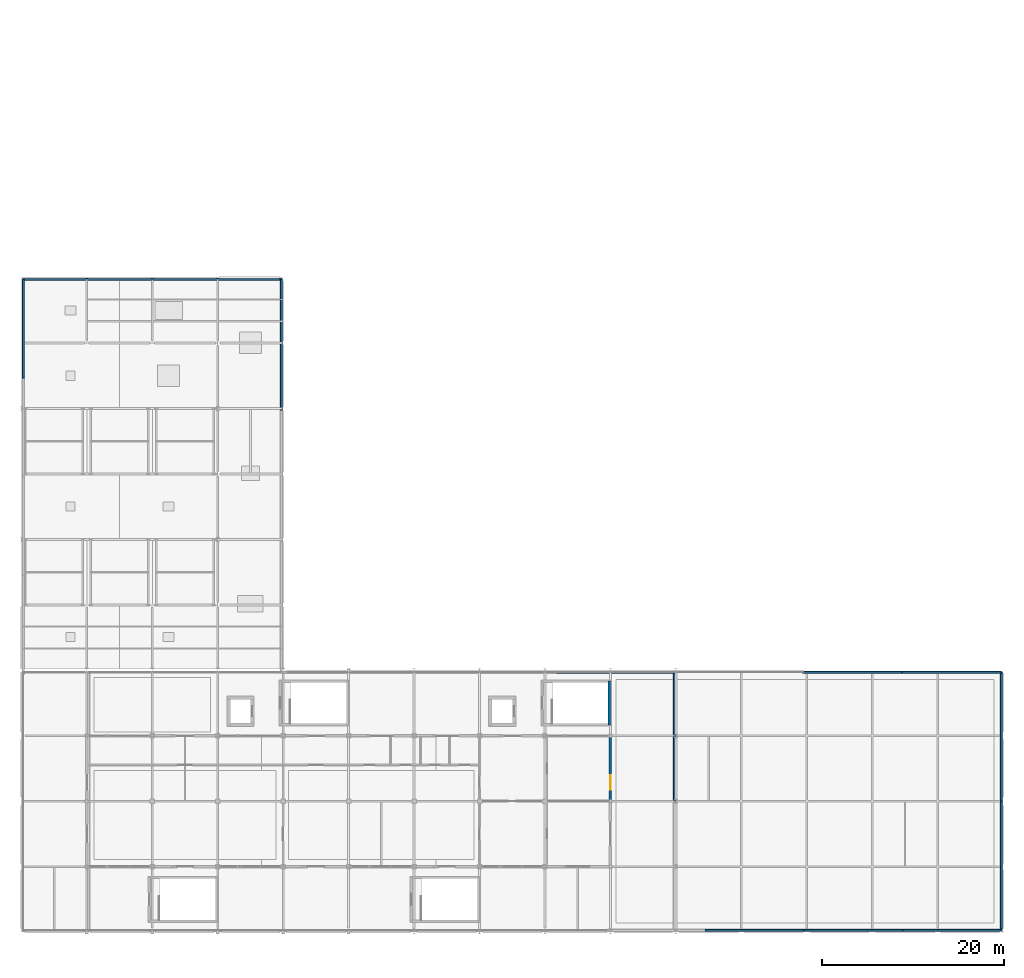
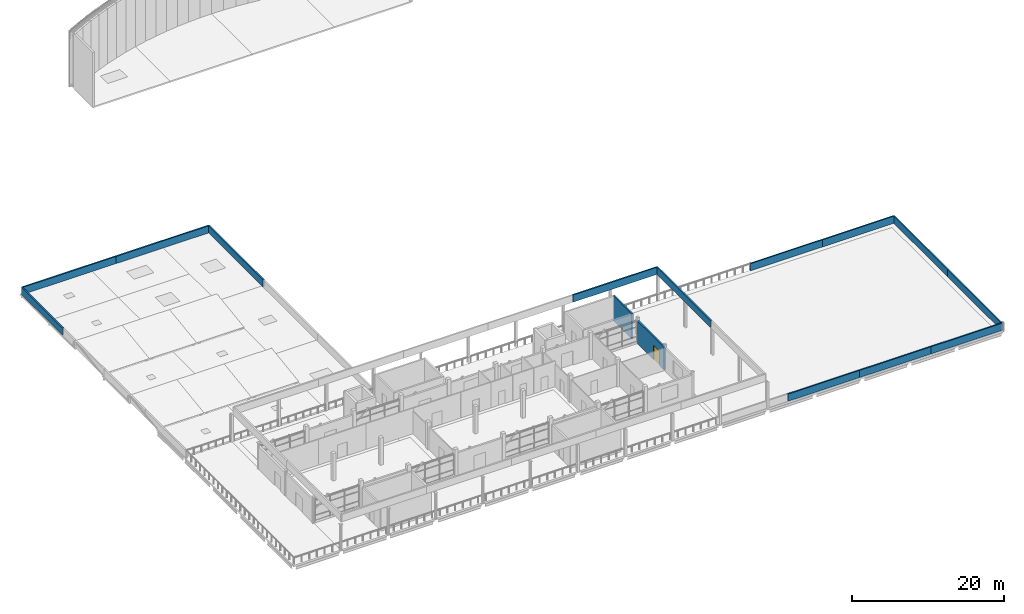
# One storey, part 26 of 32: 15 walls, 1 door, 1 opening.
"""IFC4 building model written with IfcOpenShell, lengths in metres."""

import ifcopenshell
import ifcopenshell.guid

model = None  # the IFC model being written
_history = None  # IfcOwnerHistory: only IFC2X3 demands one
_inside = {}  # id of a spatial element -> (the spatial element, [elements in it])
_under = {}  # id of a project, library or spatial element -> (it, [spatial elements below it])
_declared = {}  # id of a project -> (the project, [libraries it declares])
_typed = {}  # id of a type object -> (the type object, [elements of that type])
_made_of = {}  # id of a material, layer set ... -> (it, [elements and type objects made of it])


def new_model(schema):
    """Start an empty IFC model of exactly this schema.

    Asked for "IFC4X3", IfcOpenShell would pick the latest addendum, in which some entities
    have other attributes; the version numbers below select the first issue.
    IFC2X3 requires an IfcOwnerHistory on every rooted entity: one is made here for all.
    """
    global model, _history
    if schema == "IFC4X3":
        model = ifcopenshell.file(schema_version=(4, 3, 0, 0))
    else:
        model = ifcopenshell.file(schema=schema)
    _inside.clear()
    _under.clear()
    _declared.clear()
    _typed.clear()
    _made_of.clear()
    _history = None
    if model.schema == "IFC2X3":
        org = make("IfcOrganization", Name="unknown")
        user = make(
            "IfcPersonAndOrganization",
            ThePerson=make("IfcPerson", FamilyName="unknown"),
            TheOrganization=org,
        )
        app = make(
            "IfcApplication",
            ApplicationDeveloper=org,
            Version="unknown",
            ApplicationFullName="unknown",
            ApplicationIdentifier="unknown",
        )
        _history = make(
            "IfcOwnerHistory",
            OwningUser=user,
            OwningApplication=app,
            ChangeAction="ADDED",
            CreationDate=0,
        )
    return model


def make(cls, **values):
    """One entity of the class cls with the attributes given. An attribute that is None is left unset."""
    return model.create_entity(
        cls, **{name: value for name, value in values.items() if value is not None}
    )


def rooted(cls, **values):
    """An entity with a GlobalId (a new one), such as an element, a storey or a relation."""
    return make(cls, GlobalId=ifcopenshell.guid.new(), OwnerHistory=_history, **values)


def si_unit(unit_type, name, prefix=None):
    """IfcSIUnit, for example si_unit("LENGTHUNIT", "METRE", prefix="MILLI")."""
    return make("IfcSIUnit", UnitType=unit_type, Prefix=prefix, Name=name)


def assignment(units):
    """IfcUnitAssignment: the units of a project."""
    return None if units is None else make("IfcUnitAssignment", Units=units)


def point(xyz):
    """IfcCartesianPoint."""
    return None if xyz is None else make("IfcCartesianPoint", Coordinates=xyz)


def direction(xyz):
    """IfcDirection."""
    return None if xyz is None else make("IfcDirection", DirectionRatios=xyz)


def frame(location, z_axis=None, x_axis=None):
    """IfcAxis2Placement3D, a coordinate frame: its origin and axes. An axis left out is left unset."""
    return make(
        "IfcAxis2Placement3D",
        Location=point(location),
        Axis=direction(z_axis),
        RefDirection=direction(x_axis),
    )


def frame_2d(location, x_axis=None):
    """IfcAxis2Placement2D, a coordinate frame in the plane: its origin and x axis."""
    return make(
        "IfcAxis2Placement2D", Location=point(location), RefDirection=direction(x_axis)
    )


def origin():
    """The frame at (0, 0, 0) with its axes left unset."""
    return frame((0.0, 0.0, 0.0))


def place(relative_to, where):
    """IfcLocalPlacement: puts the frame where relative to a parent placement (None: the world)."""
    return make(
        "IfcLocalPlacement", PlacementRelTo=relative_to, RelativePlacement=where
    )


def context(
    kind, dimensions, precision=None, world=None, true_north=None, identifier=None
):
    """IfcGeometricRepresentationContext, for example the 3D "Model" context."""
    return make(
        "IfcGeometricRepresentationContext",
        ContextIdentifier=identifier,
        ContextType=kind,
        CoordinateSpaceDimension=dimensions,
        Precision=precision,
        WorldCoordinateSystem=world,
        TrueNorth=true_north,
    )


def subcontext(parent, identifier, kind, view, scale=None):
    """IfcGeometricRepresentationSubContext, for example "Body" below "Model"."""
    return make(
        "IfcGeometricRepresentationSubContext",
        ContextIdentifier=identifier,
        ContextType=kind,
        ParentContext=parent,
        TargetScale=scale,
        TargetView=view,
    )


def project(units=None, contexts=None):
    """IfcProject with its units and contexts."""
    return rooted(
        "IfcProject",
        Name="project",
        RepresentationContexts=contexts,
        UnitsInContext=assignment(units),
    )


def spatial(cls, under=None, at=None, **own):
    """A site, building, storey or space (cls), placed at a placement, below another one or the project."""
    s = rooted(cls, ObjectPlacement=at, **own)
    if under is not None:
        _under.setdefault(under.id(), (under, []))[1].append(s)
    return s


def profile(cls, at=None, kind="AREA", **sizes):
    """A parametric profile (cls). Its sizes go by their IFC names, for example OverallWidth=200.0."""
    return make(cls, ProfileType=kind, Position=at, **sizes)


def rectangle(**sizes):
    """IfcRectangleProfileDef."""
    return profile("IfcRectangleProfileDef", **sizes)


def extrude(swept, where, along, depth):
    """IfcExtrudedAreaSolid: the profile swept, set in the frame where, extruded along a direction by depth."""
    return make(
        "IfcExtrudedAreaSolid",
        SweptArea=swept,
        Position=where,
        ExtrudedDirection=direction(along),
        Depth=depth,
    )


def shape(context_of_items, identifier, shape_type, items):
    """IfcShapeRepresentation: the items that make up one representation, for example the "Body"."""
    return make(
        "IfcShapeRepresentation",
        ContextOfItems=context_of_items,
        RepresentationIdentifier=identifier,
        RepresentationType=shape_type,
        Items=items,
    )


def material(Name=None, Category=None):
    """IfcMaterial."""
    return make("IfcMaterial", Name=Name, Category=Category)


def layer(
    of_material, thickness, ventilated=None, Name=None, Category=None, Priority=None
):
    """IfcMaterialLayer: one layer of a wall or slab, of a material (None: an air gap)."""
    return make(
        "IfcMaterialLayer",
        Material=of_material,
        LayerThickness=thickness,
        IsVentilated=ventilated,
        Name=Name,
        Category=Category,
        Priority=Priority,
    )


def layer_set(layers, Name=None):
    """IfcMaterialLayerSet."""
    return make("IfcMaterialLayerSet", MaterialLayers=layers, LayerSetName=Name)


def made_of(thing, what):
    """Note that an element or type object is made of a material, layer set ...; save() writes the relation."""
    if what is not None:
        _made_of.setdefault(what.id(), (what, []))[1].append(thing)
    return thing


def type_object(cls, material=None, **own):
    """A type object (cls), such as IfcWallType, which elements share."""
    return made_of(rooted(cls, **own), material)


def element(
    cls,
    number,
    at=None,
    inside=None,
    cuts=None,
    type_object=None,
    material=None,
    context=None,
    identifier="Body",
    shape_type=None,
    held_by="IfcProductDefinitionShape",
    body=None,
    shapes=None,
    **own,
):
    """One element of the class cls, such as IfcWall. Its Tag is "e" and its number.

    at: its placement. inside: the storey or other place that contains it. cuts: it is an
    opening in that element (IfcRelVoidsElement). A single representation is given by context,
    identifier, shape_type and body (its items); several are given by shapes. held_by: the class
    of the entity that holds the representations. save() writes the other relations.
    """
    e = rooted(cls, Tag="e%d" % number, ObjectPlacement=at, **own)
    if body is not None:
        shapes = [shape(context, identifier, shape_type, body)]
    if shapes is not None:
        e.Representation = make(held_by, Representations=shapes)
    if inside is not None:
        _inside.setdefault(inside.id(), (inside, []))[1].append(e)
    if cuts is not None:
        rooted(
            "IfcRelVoidsElement", RelatingBuildingElement=cuts, RelatedOpeningElement=e
        )
    if type_object is not None:
        _typed.setdefault(type_object.id(), (type_object, []))[1].append(e)
    return made_of(e, material)


def fill(opening, filler):
    """IfcRelFillsElement: the door or window that sits in an opening."""
    return rooted(
        "IfcRelFillsElement",
        RelatingOpeningElement=opening,
        RelatedBuildingElement=filler,
    )


def aggregate(whole, parts):
    """IfcRelAggregates: a whole, such as a stair, and the parts it consists of."""
    return rooted("IfcRelAggregates", RelatingObject=whole, RelatedObjects=parts)


def save(model, path):
    """Write the relations noted so far, then the file.

    IfcRelAggregates (storeys below a building ...), IfcRelContainedInSpatialStructure (elements
    in a storey), IfcRelDefinesByType, IfcRelAssociatesMaterial and IfcRelDeclares: one each for
    every whole, place, type object, material and project.
    """
    for whole, parts in _under.values():
        aggregate(whole, parts)
    for where, things in _inside.values():
        rooted(
            "IfcRelContainedInSpatialStructure",
            RelatedElements=things,
            RelatingStructure=where,
        )
    for kind, things in _typed.values():
        rooted("IfcRelDefinesByType", RelatedObjects=things, RelatingType=kind)
    for what, things in _made_of.values():
        rooted("IfcRelAssociatesMaterial", RelatedObjects=things, RelatingMaterial=what)
    for by, libraries in _declared.values():
        rooted("IfcRelDeclares", RelatingContext=by, RelatedDefinitions=libraries)
    model.write(path)


model = new_model("IFC4")

# Units and contexts
model_context = context("Model", 3, precision=1e-05, world=origin(), true_north=direction((0.0, 1.0)))
body_context = subcontext(model_context, "Body", "Model", "MODEL_VIEW")
ifc_project = project(units=[si_unit("LENGTHUNIT", "METRE"), si_unit("AREAUNIT", "SQUARE_METRE"), si_unit("VOLUMEUNIT", "CUBIC_METRE"), si_unit("PLANEANGLEUNIT", "RADIAN"), si_unit("MASSUNIT", "GRAM", prefix="KILO")], contexts=[model_context])

# Site, building, storey
site_placement = place(None, origin())
site = spatial("IfcSite", under=ifc_project, at=site_placement, CompositionType="ELEMENT")
building_placement = place(site_placement, origin())
building = spatial("IfcBuilding", under=site, at=building_placement, Name="Sardonyx Promenade Sports Hall", CompositionType="ELEMENT")
storey_placement = place(building_placement, frame((0.0, 0.0, 20.39990234375)))
storey = spatial("IfcBuildingStorey", under=building, at=storey_placement, Name="L04", CompositionType="ELEMENT", Elevation=20.39990234375)

# Wall, opening, door
ifc_material_1 = material(Name="Masonry CMU 15 MPa", Category="masonry")
ifc_layer_1 = layer(ifc_material_1, 0.260009765625)
ifc_layer_set_1 = layer_set([ifc_layer_1], Name="Wall_Ext_Pavilion_260")
wall_type_1 = type_object("IfcWallType", Name="Wall_Ext_Pavilion_260", PredefinedType="SOLIDWALL", material=ifc_layer_set_1)
wall_1_placement = place(storey_placement, frame((64.800048828125, 21.451416015625, 0.0), z_axis=(0.0, 0.0, 1.0), x_axis=(0.0, -1.0, 0.0)))
wall_1 = element("IfcWall", 1, at=wall_1_placement, inside=storey, type_object=wall_type_1, Name="Exterior wall EW03 L04 #281", PredefinedType="SOLIDWALL", context=body_context, shape_type="SweptSolid", body=[
    extrude(rectangle(XDim=6.90283203125, YDim=0.260009765625, at=frame_2d((3.451416015625, 0.0))), origin(), (0.0, 0.0, 1.0), 3.655029296875),
])
opening_placement = place(wall_1_placement, frame((4.199951171875, 0.0, 0.0)))
opening = element("IfcOpeningElement", 2, at=opening_placement, cuts=wall_1, Name="Opening ED08", PredefinedType="OPENING", context=body_context, shape_type="SweptSolid", body=[
    extrude(rectangle(XDim=1.60009765625, YDim=2.300048828125, at=frame_2d((0.800048828125, 1.14990234375))), frame((0.0, 0.14, 0.0), z_axis=(0.0, -1.0, 0.0), x_axis=(1.0, 0.0, 0.0)), (0.0, 0.0, 1.0), 0.28),
])
ifc_material_2 = material(Name="Thermally broken anodised aluminium glazed door", Category="aluminium")
door_type = type_object("IfcDoorType", Name="Door_Ext_Terrace_160x230", OperationType="NOTDEFINED", PredefinedType="DOOR", material=ifc_material_2)
door_placement = place(opening_placement, origin())
door = element("IfcDoor", 3, at=door_placement, inside=storey, type_object=door_type, Name="Exterior exit door TD03", OperationType="DOUBLE_DOOR_SINGLE_SWING", OverallHeight=2.300048828125, OverallWidth=1.60009765625, PredefinedType="DOOR", context=body_context, shape_type="SweptSolid", body=[
    extrude(rectangle(XDim=1.60009765625, YDim=2.300048828125, at=frame_2d((0.800048828125, 1.14990234375))), frame((0.0, 0.02490234375, 0.0), z_axis=(0.0, -1.0, 0.0), x_axis=(1.0, 0.0, 0.0)), (0.0, 0.0, 1.0), 0.050048828125),
])
fill(opening, door)

# Walls
ifc_material_3 = material(Name="Masonry sandstone coping", Category="masonry")
ifc_layer_2 = layer(ifc_material_3, 0.199951171875)
ifc_layer_set_2 = layer_set([ifc_layer_2], Name="Wall_Parapet_Garden_200")
wall_type_2 = type_object("IfcWallType", Name="Wall_Parapet_Garden_200", PredefinedType="PARAPET", material=ifc_layer_set_2)
for number, where, z_axis, x_axis, name in (
    (4, (75.21240234375, 0.199951171875, 0.0), (0.0, 0.0, 1.0), (1.0, 0.0, 0.0), "Roof parapet PP03 L04 #42"),
    (5, (86.074951171875, 0.199951171875, 0.0), (0.0, 0.0, 1.0), (1.0, 0.0, 0.0), "Roof parapet PP03 L04 #43"),
    (6, (96.9375, 0.199951171875, 0.0), (0.0, 0.0, 1.0), (1.0, 0.0, 0.0), "Roof parapet PP03 L04 #44"),
):
    element("IfcWall", number, at=place(storey_placement, frame(where, z_axis=z_axis, x_axis=x_axis)), inside=storey, type_object=wall_type_2, Name=name, PredefinedType="PARAPET", context=body_context, shape_type="SweptSolid", body=[
        extrude(rectangle(XDim=10.862548828125, YDim=0.199951171875, at=frame_2d((5.43115234375, 0.0))), origin(), (0.0, 0.0, 1.0), 1.150146484375),
    ])
wall_2_placement = place(storey_placement, frame((107.800048828125, 0.199951171875, 0.0), z_axis=(0.0, 0.0, 1.0), x_axis=(0.0, 1.0, 0.0)))
element("IfcWall", 7, at=wall_2_placement, inside=storey, type_object=wall_type_2, Name="Roof parapet PP03 L04 #45", PredefinedType="PARAPET", context=body_context, shape_type="SweptSolid", body=[
    extrude(rectangle(XDim=14.199951171875, YDim=0.199951171875, at=frame_2d((7.10009765625, 0.0))), origin(), (0.0, 0.0, 1.0), 1.150146484375),
])
wall_3_placement = place(storey_placement, frame((107.800048828125, 14.39990234375, 0.0), z_axis=(0.0, 0.0, 1.0), x_axis=(0.0, 1.0, 0.0)))
element("IfcWall", 8, at=wall_3_placement, inside=storey, type_object=wall_type_2, Name="Roof parapet PP03 L04 #46", PredefinedType="PARAPET", context=body_context, shape_type="SweptSolid", body=[
    extrude(rectangle(XDim=14.2001953125, YDim=0.199951171875, at=frame_2d((7.10009765625, 0.0))), origin(), (0.0, 0.0, 1.0), 1.150146484375),
])
for number, where, z_axis, x_axis, name in (
    (9, (107.800048828125, 28.60009765625, 0.0), (0.0, 0.0, 1.0), (-1.0, 0.0, 0.0), "Roof parapet PP03 L04 #47"),
    (10, (96.875, 28.60009765625, 0.0), (0.0, 0.0, 1.0), (-1.0, 0.0, 0.0), "Roof parapet PP03 L04 #48"),
):
    element("IfcWall", number, at=place(storey_placement, frame(where, z_axis=z_axis, x_axis=x_axis)), inside=storey, type_object=wall_type_2, Name=name, PredefinedType="PARAPET", context=body_context, shape_type="SweptSolid", body=[
        extrude(rectangle(XDim=10.925048828125, YDim=0.199951171875, at=frame_2d((5.46240234375, 0.0))), origin(), (0.0, 0.0, 1.0), 1.150146484375),
    ])
ifc_material_4 = material(Name="Concrete C40/50", Category="concrete")
ifc_layer_3 = layer(ifc_material_4, 0.219970703125)
ifc_layer_set_3 = layer_set([ifc_layer_3], Name="Wall_Parapet_Roof_220")
wall_type_3 = type_object("IfcWallType", Name="Wall_Parapet_Roof_220", PredefinedType="PARAPET", material=ifc_layer_set_3)
wall_4_placement = place(storey_placement, frame((0.199951171875, 60.9375, 0.0), z_axis=(0.0, 0.0, 1.0), x_axis=(0.0, 1.0, 0.0)))
element("IfcWall", 11, at=wall_4_placement, inside=storey, type_object=wall_type_3, Name="Roof parapet PP02 L04 #52", PredefinedType="PARAPET", context=body_context, shape_type="SweptSolid", body=[
    extrude(rectangle(XDim=10.862548828125, YDim=0.219970703125, at=frame_2d((5.43115234375, 0.0))), origin(), (0.0, 0.0, 1.0), 1.150146484375),
])
wall_5_placement = place(storey_placement, frame((0.199951171875, 71.800048828125, 0.0), z_axis=(0.0, 0.0, 1.0), x_axis=(1.0, 0.0, 0.0)))
element("IfcWall", 12, at=wall_5_placement, inside=storey, type_object=wall_type_3, Name="Roof parapet PP02 L04 #53", PredefinedType="PARAPET", context=body_context, shape_type="SweptSolid", body=[
    extrude(rectangle(XDim=14.199951171875, YDim=0.219970703125, at=frame_2d((7.10009765625, 0.0))), origin(), (0.0, 0.0, 1.0), 1.150146484375),
])
wall_6_placement = place(storey_placement, frame((14.39990234375, 71.800048828125, 0.0), z_axis=(0.0, 0.0, 1.0), x_axis=(1.0, 0.0, 0.0)))
element("IfcWall", 13, at=wall_6_placement, inside=storey, type_object=wall_type_3, Name="Roof parapet PP02 L04 #54", PredefinedType="PARAPET", context=body_context, shape_type="SweptSolid", body=[
    extrude(rectangle(XDim=14.2001953125, YDim=0.219970703125, at=frame_2d((7.10009765625, 0.0))), origin(), (0.0, 0.0, 1.0), 1.150146484375),
])
wall_7_placement = place(storey_placement, frame((28.60009765625, 71.800048828125, 0.0), z_axis=(0.0, 0.0, 1.0), x_axis=(0.0, -1.0, 0.0)))
element("IfcWall", 14, at=wall_7_placement, inside=storey, type_object=wall_type_3, Name="Roof parapet PP02 L04 #55", PredefinedType="PARAPET", context=body_context, shape_type="SweptSolid", body=[
    extrude(rectangle(XDim=14.400146484375, YDim=0.219970703125, at=frame_2d((7.2001953125, 0.0))), origin(), (0.0, 0.0, 1.0), 1.150146484375),
])
wall_8_placement = place(storey_placement, frame((71.800048828125, 14.39990234375, 4.400146484375), z_axis=(0.0, 0.0, 1.0), x_axis=(0.0, 1.0, 0.0)))
element("IfcWall", 15, at=wall_8_placement, inside=storey, type_object=wall_type_3, Name="Roof parapet PP02 L04 #65", PredefinedType="PARAPET", context=body_context, shape_type="SweptSolid", body=[
    extrude(rectangle(XDim=14.2001953125, YDim=0.219970703125, at=frame_2d((7.10009765625, 0.0))), origin(), (0.0, 0.0, 1.0), 1.14990234375),
])
wall_9_placement = place(storey_placement, frame((71.800048828125, 28.60009765625, 4.400146484375), z_axis=(0.0, 0.0, 1.0), x_axis=(-1.0, 0.0, 0.0)))
element("IfcWall", 16, at=wall_9_placement, inside=storey, type_object=wall_type_3, Name="Roof parapet PP02 L04 #66", PredefinedType="PARAPET", context=body_context, shape_type="SweptSolid", body=[
    extrude(rectangle(XDim=12.880126953125, YDim=0.219970703125, at=frame_2d((6.43994140625, 0.0))), origin(), (0.0, 0.0, 1.0), 1.14990234375),
])
ifc_material_5 = material(Name="Concrete C40/50", Category="concrete")
ifc_layer_4 = layer(ifc_material_5, 0.25)
ifc_layer_set_4 = layer_set([ifc_layer_4], Name="Wall_Stair_Shear_250")
wall_type_4 = type_object("IfcWallType", Name="Wall_Stair_Shear_250", PredefinedType="SHEAR", material=ifc_layer_set_4)
wall_10_placement = place(storey_placement, frame((64.675048828125, 27.60009765625, 0.0), z_axis=(0.0, 0.0, 1.0), x_axis=(0.0, -1.0, 0.0)))
element("IfcWall", 17, at=wall_10_placement, inside=storey, type_object=wall_type_4, Name="Stair shaft wall ST3 L04 E", PredefinedType="SHEAR", context=body_context, shape_type="SweptSolid", body=[
    extrude(rectangle(XDim=4.800048828125, YDim=0.25, at=frame_2d((2.39990234375, 0.0))), origin(), (0.0, 0.0, 1.0), 4.0400390625),
])

save(model, "model.ifc")
